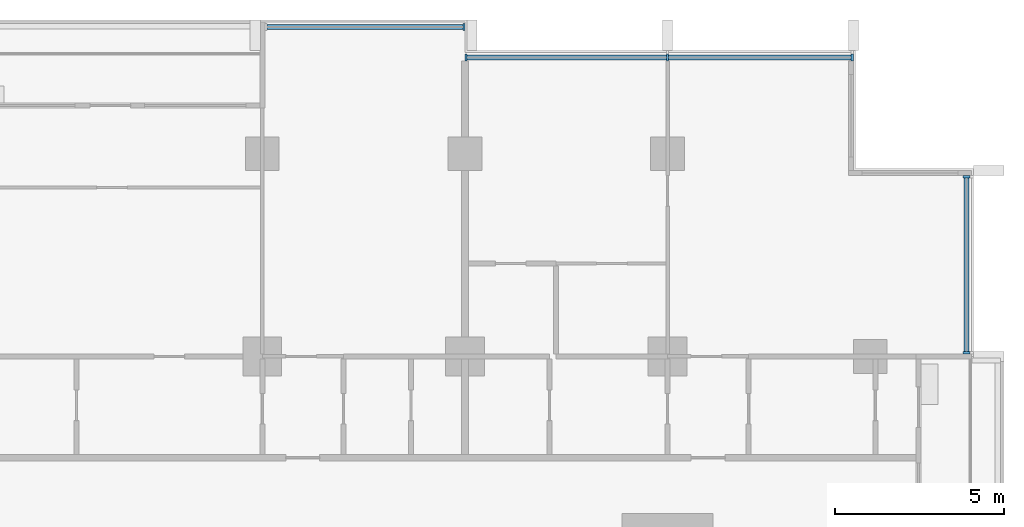
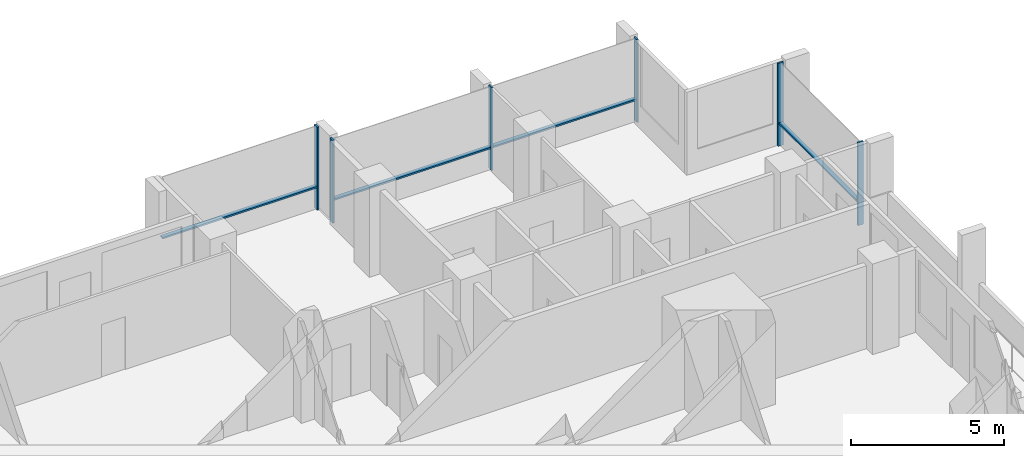
# One storey, part 5 of 18: 10 members, 3 elements without a shape of their own.
"""IFC4 building model written with IfcOpenShell, lengths in metres."""

from ifc_helpers import new_model, si_unit, direction, frame, origin, origin_2d, place, context, subcontext, project, spatial, rectangle, extrude, material, material_profile, profile_set, type_object, element, aggregate, save


model = new_model("IFC4")

# Units and contexts
model_context = context("Model", 3, precision=1e-05, world=origin(), true_north=direction((0.0, 1.0)))
body_context = subcontext(model_context, "Body", "Model", "MODEL_VIEW")
ifc_project = project(units=[si_unit("LENGTHUNIT", "METRE"), si_unit("AREAUNIT", "SQUARE_METRE"), si_unit("VOLUMEUNIT", "CUBIC_METRE"), si_unit("PLANEANGLEUNIT", "RADIAN"), si_unit("MASSUNIT", "GRAM", prefix="KILO")], contexts=[model_context])

# Site, building, storey
site_placement = place(None, origin())
site = spatial("IfcSite", under=ifc_project, at=site_placement, CompositionType="ELEMENT")
building_placement = place(site_placement, origin())
building = spatial("IfcBuilding", under=site, at=building_placement, Name="Finial Court Residences", CompositionType="ELEMENT")
storey_placement = place(building_placement, frame((0.0, 0.0, 109.89990234375)))
storey = spatial("IfcBuildingStorey", under=building, at=storey_placement, Name="L27", CompositionType="ELEMENT", Elevation=109.89990234375)

# Curtain wall, member
ifc_material = material(Name="Bronze anodised aluminium", Category="aluminium")
curtain_wall_type = type_object("IfcCurtainWallType", Name="Unitised curtain wall, lower and middle zones", PredefinedType="NOTDEFINED", material=ifc_material)
curtain_wall_1_placement = place(storey_placement, origin())
curtain_wall_1 = element("IfcCurtainWall", 1, at=curtain_wall_1_placement, inside=storey, type_object=curtain_wall_type, Name="E-L27-CW-N2", PredefinedType="NOTDEFINED")
ifc_material_profile_1 = material_profile(ifc_material, rectangle(XDim=0.199951171875, YDim=0.06494140625, at=origin_2d()), Name="CW1 mullion 65 x 200")
ifc_profile_set_1 = profile_set([ifc_material_profile_1], Name="Bronze anodised aluminium")
member_type_1 = type_object("IfcMemberType", Name="CW1 mullion 65 x 200", PredefinedType="MULLION", material=ifc_profile_set_1)
member_1_placement = place(storey_placement, frame((10.467529296875, 23.25, 0.0), z_axis=(0.0, 0.0, 1.0), x_axis=(0.0, 1.0, 0.0)))
member_1 = element("IfcMember", 2, at=member_1_placement, type_object=member_type_1, Name="CW1 mullion 2", PredefinedType="MULLION", context=body_context, shape_type="SweptSolid", body=[
    extrude(rectangle(XDim=0.199951171875, YDim=0.06494140625, at=origin_2d()), origin(), (0.0, 0.0, 1.0), 3.300048828125),
])

# Curtain wall, members
curtain_wall_2_placement = place(storey_placement, origin())
curtain_wall_2 = element("IfcCurtainWall", 3, at=curtain_wall_2_placement, inside=storey, type_object=curtain_wall_type, Name="E-L27-CW-N3", PredefinedType="NOTDEFINED")
member_2_placement = place(storey_placement, frame((10.532470703125, 22.35009765625, 0.0), z_axis=(0.0, 0.0, 1.0), x_axis=(0.0, 1.0, 0.0)))
member_2 = element("IfcMember", 4, at=member_2_placement, type_object=member_type_1, Name="CW1 mullion 1", PredefinedType="MULLION", context=body_context, shape_type="SweptSolid", body=[
    extrude(rectangle(XDim=0.199951171875, YDim=0.06494140625, at=origin_2d()), origin(), (0.0, 0.0, 1.0), 3.300048828125),
])
member_3_placement = place(storey_placement, frame((16.5, 22.35009765625, 0.0), z_axis=(0.0, 0.0, 1.0), x_axis=(0.0, 1.0, 0.0)))
member_3 = element("IfcMember", 5, at=member_3_placement, type_object=member_type_1, Name="CW1 mullion 2", PredefinedType="MULLION", context=body_context, shape_type="SweptSolid", body=[
    extrude(rectangle(XDim=0.199951171875, YDim=0.06494140625, at=origin_2d()), origin(), (0.0, 0.0, 1.0), 3.300048828125),
])
member_4_placement = place(storey_placement, frame((21.967529296875, 22.35009765625, 0.0), z_axis=(0.0, 0.0, 1.0), x_axis=(0.0, 1.0, 0.0)))
member_4 = element("IfcMember", 6, at=member_4_placement, type_object=member_type_1, Name="CW1 mullion 3", PredefinedType="MULLION", context=body_context, shape_type="SweptSolid", body=[
    extrude(rectangle(XDim=0.199951171875, YDim=0.06494140625, at=origin_2d()), origin(), (0.0, 0.0, 1.0), 3.300048828125),
])

curtain_wall_3_placement = place(storey_placement, origin())
curtain_wall_3 = element("IfcCurtainWall", 7, at=curtain_wall_3_placement, inside=storey, type_object=curtain_wall_type, Name="E-L27-CW-E6", PredefinedType="NOTDEFINED")
member_5_placement = place(storey_placement, frame((25.35009765625, 13.607421875, 0.0), z_axis=(0.0, 0.0, 1.0), x_axis=(-1.0, 0.0, 0.0)))
member_5 = element("IfcMember", 8, at=member_5_placement, type_object=member_type_1, Name="CW1 mullion 1", PredefinedType="MULLION", context=body_context, shape_type="SweptSolid", body=[
    extrude(rectangle(XDim=0.199951171875, YDim=0.06494140625, at=origin_2d()), origin(), (0.0, 0.0, 1.0), 3.300048828125),
])
member_6_placement = place(storey_placement, frame((25.35009765625, 18.8173828125, 0.0), z_axis=(0.0, 0.0, 1.0), x_axis=(-1.0, 0.0, 0.0)))
member_6 = element("IfcMember", 9, at=member_6_placement, type_object=member_type_1, Name="CW1 mullion 2", PredefinedType="MULLION", context=body_context, shape_type="SweptSolid", body=[
    extrude(rectangle(XDim=0.199951171875, YDim=0.06494140625, at=origin_2d()), origin(), (0.0, 0.0, 1.0), 3.300048828125),
])

# Member
ifc_material_profile_2 = material_profile(ifc_material, rectangle(XDim=0.14990234375, YDim=0.06494140625, at=origin_2d()), Name="CW1 transom 65 x 150")
ifc_profile_set_2 = profile_set([ifc_material_profile_2], Name="Bronze anodised aluminium")
member_type_2 = type_object("IfcMemberType", Name="CW1 transom 65 x 150", PredefinedType="USERDEFINED", material=ifc_profile_set_2)
member_7_placement = place(storey_placement, frame((4.639892578125, 23.25, 0.900146484375), z_axis=(1.0, 0.0, 0.0), x_axis=(0.0, 1.0, 0.0)))
member_7 = element("IfcMember", 10, at=member_7_placement, type_object=member_type_2, Name="CW1 transom 1.1", ObjectType="TRANSOM", PredefinedType="USERDEFINED", context=body_context, shape_type="SweptSolid", body=[
    extrude(rectangle(XDim=0.14990234375, YDim=0.06494140625, at=origin_2d()), origin(), (0.0, 0.0, 1.0), 5.795166015625),
])

aggregate(curtain_wall_1, [member_1, member_7])

member_8_placement = place(storey_placement, frame((10.56494140625, 22.35009765625, 0.900146484375), z_axis=(1.0, 0.0, 0.0), x_axis=(0.0, 1.0, 0.0)))
member_8 = element("IfcMember", 11, at=member_8_placement, type_object=member_type_2, Name="CW1 transom 1.1", ObjectType="TRANSOM", PredefinedType="USERDEFINED", context=body_context, shape_type="SweptSolid", body=[
    extrude(rectangle(XDim=0.14990234375, YDim=0.06494140625, at=origin_2d()), origin(), (0.0, 0.0, 1.0), 5.902587890625),
])

member_9_placement = place(storey_placement, frame((16.532470703125, 22.35009765625, 0.900146484375), z_axis=(1.0, 0.0, 0.0), x_axis=(0.0, 1.0, 0.0)))
member_9 = element("IfcMember", 12, at=member_9_placement, type_object=member_type_2, Name="CW1 transom 2.1", ObjectType="TRANSOM", PredefinedType="USERDEFINED", context=body_context, shape_type="SweptSolid", body=[
    extrude(rectangle(XDim=0.14990234375, YDim=0.06494140625, at=origin_2d()), origin(), (0.0, 0.0, 1.0), 5.402587890625),
])

aggregate(curtain_wall_2, [member_2, member_3, member_4, member_8, member_9])

member_10_placement = place(storey_placement, frame((25.35009765625, 13.639892578125, 0.900146484375), z_axis=(0.0, 1.0, 0.0), x_axis=(-1.0, 0.0, 0.0)))
member_10 = element("IfcMember", 13, at=member_10_placement, type_object=member_type_2, Name="CW1 transom 1.1", ObjectType="TRANSOM", PredefinedType="USERDEFINED", context=body_context, shape_type="SweptSolid", body=[
    extrude(rectangle(XDim=0.14990234375, YDim=0.06494140625, at=origin_2d()), origin(), (0.0, 0.0, 1.0), 5.14501953125),
])

aggregate(curtain_wall_3, [member_5, member_6, member_10])

save(model, "model.ifc")
